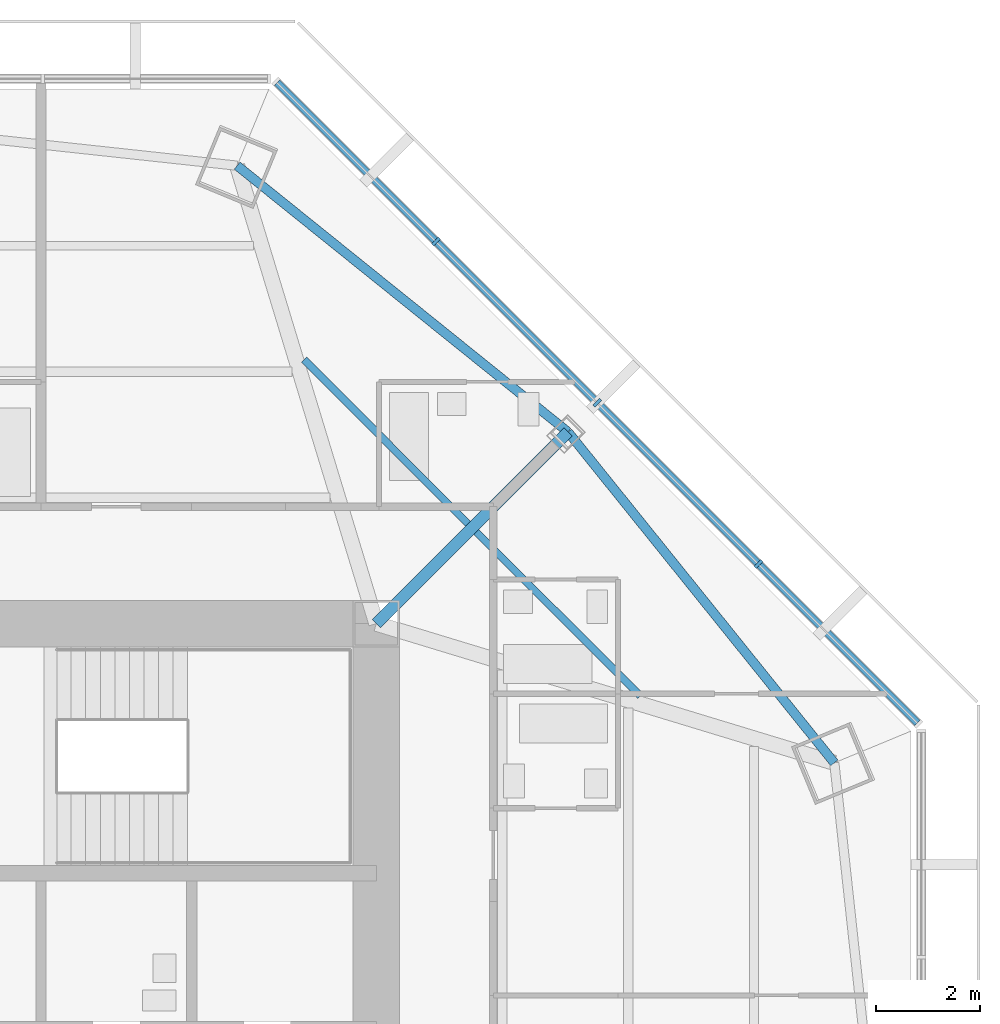
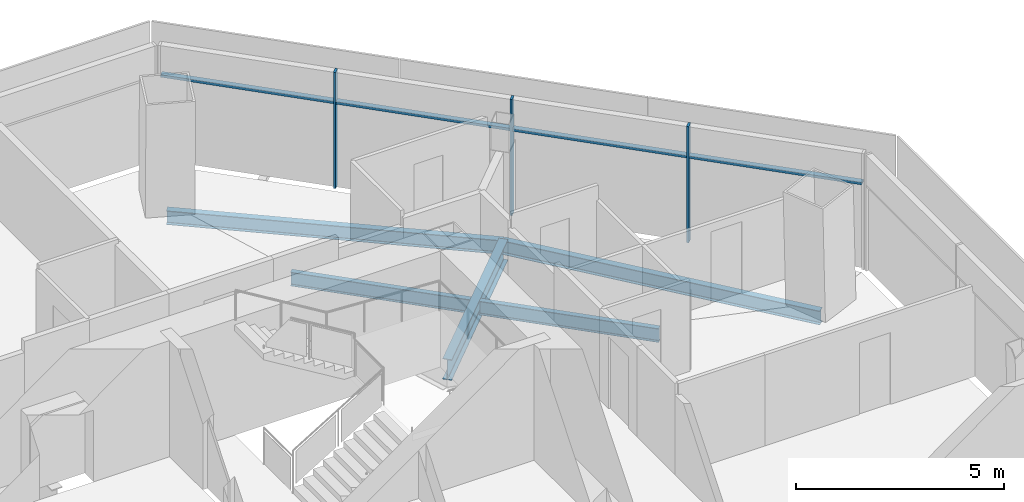
# One storey, part 6 of 14: 7 members, 5 beams, 1 element without a shape of its own.
"""IFC4 building model written with IfcOpenShell, lengths in metres."""

from ifc_helpers import new_model, si_unit, direction, frame, origin, origin_2d, place, context, subcontext, project, spatial, rectangle, i_section, extrude, source, transform, mapped, material, material_profile, profile_set, type_object, type_shapes, element, aggregate, save


model = new_model("IFC4")

# Units and contexts
model_context = context("Model", 3, precision=1e-05, world=origin(), true_north=direction((0.0, 1.0)))
body_context = subcontext(model_context, "Body", "Model", "MODEL_VIEW")
ifc_project = project(units=[si_unit("LENGTHUNIT", "METRE"), si_unit("AREAUNIT", "SQUARE_METRE"), si_unit("VOLUMEUNIT", "CUBIC_METRE"), si_unit("PLANEANGLEUNIT", "RADIAN"), si_unit("MASSUNIT", "GRAM", prefix="KILO")], contexts=[model_context])

# Site, building, storey
site_placement = place(None, origin())
site = spatial("IfcSite", under=ifc_project, at=site_placement, CompositionType="ELEMENT")
building_placement = place(site_placement, origin())
building = spatial("IfcBuilding", under=site, at=building_placement, Name="Mashrafa Tower", CompositionType="ELEMENT")
storey_placement = place(building_placement, frame((0.0, 0.0, 238.0)))
storey = spatial("IfcBuildingStorey", under=building, at=storey_placement, Name="L56", CompositionType="ELEMENT", Elevation=238.0)

# Beams
ifc_material_1 = material(Name="Steel ASTM A992", Category="steel")
ifc_material_profile_1 = material_profile(ifc_material_1, i_section(OverallWidth=0.140380859375, OverallDepth=0.40380859375, WebThickness=0.007080078125, FlangeThickness=0.01123046875, FilletRadius=0.01025390625, at=origin_2d()), Name="W16X31")
ifc_profile_set_1 = profile_set([ifc_material_profile_1], Name="Steel ASTM A992")
beam_type_1 = type_object("IfcBeamType", Name="Beam W16X31", PredefinedType="BEAM", material=ifc_profile_set_1)
for number, where, z_axis, x_axis, name in (
    (1, (9.409423828125, 15.877685546875, -0.40185546875), (0.707079408428, -0.707134152885, 0.0), (0.707134152885, 0.707079408428, 0.0), "Floor beam L56 021"),
    (2, (12.72412109375, 12.562744140625, -0.40185546875), (0.707134152885, -0.707079408428, 0.0), (0.707079408428, 0.707134152885, 0.0), "Floor beam L56 025"),
):
    element("IfcBeam", number, at=place(storey_placement, frame(where, z_axis=z_axis, x_axis=x_axis)), inside=storey, type_object=beam_type_1, Name=name, PredefinedType="BEAM", context=body_context, shape_type="SweptSolid", body=[
        extrude(i_section(OverallWidth=0.140380859375, OverallDepth=0.40380859375, WebThickness=0.007080078125, FlangeThickness=0.01123046875, FilletRadius=0.01025390625, at=origin_2d()), origin(), (0.0, 0.0, 1.0), 4.459716796875),
    ])
ifc_material_2 = material(Name="Steel ASTM A992", Category="steel")
ifc_material_profile_2 = material_profile(ifc_material_2, i_section(OverallWidth=0.177734375, OverallDepth=0.406494140625, WebThickness=0.0078125, FlangeThickness=0.012939453125, FilletRadius=0.01025390625, at=origin_2d()), Name="W16X40")
ifc_profile_set_2 = profile_set([ifc_material_profile_2], Name="Steel ASTM A992")
beam_type_2 = type_object("IfcBeamType", Name="Beam W16X40", PredefinedType="BEAM", material=ifc_profile_set_2)
for number, where, z_axis, x_axis, name in (
    (3, (14.487060546875, 14.487060546875, -0.4033203125), (-0.779017025318, 0.62700277054, 0.0), (-0.62700277054, -0.779017025318, 0.0), "Spandrel beam L56 061"),
    (4, (19.609619140625, 8.12255859375, -0.4033203125), (-0.62700277054, 0.779017025318, 0.0), (-0.779017025318, -0.62700277054, 0.0), "Spandrel beam L56 063"),
):
    element("IfcBeam", number, at=place(storey_placement, frame(where, z_axis=z_axis, x_axis=x_axis)), inside=storey, type_object=beam_type_2, Name=name, PredefinedType="BEAM", context=body_context, shape_type="SweptSolid", body=[
        extrude(i_section(OverallWidth=0.177734375, OverallDepth=0.406494140625, WebThickness=0.0078125, FlangeThickness=0.012939453125, FilletRadius=0.01025390625, at=origin_2d()), origin(), (0.0, 0.0, 1.0), 8.169921875),
    ])
ifc_material_3 = material(Name="Steel ASTM A992", Category="steel")
ifc_material_profile_3 = material_profile(ifc_material_3, i_section(OverallWidth=0.228271484375, OverallDepth=0.607177734375, WebThickness=0.01123046875, FlangeThickness=0.017333984375, FilletRadius=0.0126953125, at=origin_2d()), Name="W24X76")
ifc_profile_set_3 = profile_set([ifc_material_profile_3], Name="Steel ASTM A992")
beam_type_3 = type_object("IfcBeamType", Name="Beam W24X76", PredefinedType="BEAM", material=ifc_profile_set_3)
beam_placement = place(storey_placement, frame((10.800048828125, 10.800048828125, -0.50341796875), z_axis=(0.707106781187, 0.707106781187, 0.0), x_axis=(-0.707106781187, 0.707106781187, 0.0)))
element("IfcBeam", 5, at=beam_placement, inside=storey, type_object=beam_type_3, Name="Radial girder L56 047", PredefinedType="BEAM", context=body_context, shape_type="SweptSolid", body=[
    extrude(i_section(OverallWidth=0.228271484375, OverallDepth=0.607177734375, WebThickness=0.01123046875, FlangeThickness=0.017333984375, FilletRadius=0.0126953125, at=origin_2d()), origin(), (0.0, 0.0, 1.0), 5.214111328125),
])

# Curtain wall, members
ifc_material_4 = material(Name="Unitised aluminium curtain wall", Category="aluminium")
curtain_wall_type = type_object("IfcCurtainWallType", Name="Apartment curtain wall, zone 3 CW-C 180 deep", PredefinedType="NOTDEFINED", material=ifc_material_4)
curtain_wall_placement = place(storey_placement, origin())
curtain_wall = element("IfcCurtainWall", 6, at=curtain_wall_placement, inside=storey, type_object=curtain_wall_type, Name="Apartment curtain wall, zone 3 L56 north-east", PredefinedType="NOTDEFINED")
ifc_material_5 = material(Name="Extruded aluminium mullion", Category="aluminium")
ifc_material_profile_4 = material_profile(ifc_material_5, rectangle(XDim=0.179931640625, YDim=0.06005859375, at=origin_2d()), Name="Mullion 60x180")
ifc_profile_set_4 = profile_set([ifc_material_profile_4], Name="Extruded aluminium mullion")
member_type_1 = type_object("IfcMemberType", Name="Mullion CW-C 60 x 180", PredefinedType="MULLION", material=ifc_profile_set_4)
shared_shape_1 = source(origin(), body_context, "Body", "SweptSolid", [
    extrude(rectangle(XDim=0.179931640625, YDim=0.06005859375, at=origin_2d()), origin(), (0.0, 0.0, 1.0), 3.39990234375),
])
type_shapes(member_type_1, [shared_shape_1])
member_1_placement = place(storey_placement, frame((18.148681640625, 11.94873046875, 0.0), z_axis=(0.0, 0.0, 1.0), x_axis=(-0.707106781187, -0.707106781187, 0.0)))
member_1 = element("IfcMember", 7, at=member_1_placement, type_object=member_type_1, Name="CW-C mullion 2", PredefinedType="MULLION", context=body_context, shape_type="MappedRepresentation", body=[
    mapped(shared_shape_1, transform((0.0, 0.0, 0.0))),
])
member_2_placement = place(storey_placement, frame((15.048583984375, 15.048583984375, 0.0), z_axis=(0.0, 0.0, 1.0), x_axis=(-0.707106781187, -0.707106781187, 0.0)))
member_2 = element("IfcMember", 8, at=member_2_placement, type_object=member_type_1, Name="CW-C mullion 3", PredefinedType="MULLION", context=body_context, shape_type="MappedRepresentation", body=[
    mapped(shared_shape_1, transform((0.0, 0.0, 0.0))),
])
member_3_placement = place(storey_placement, frame((11.94873046875, 18.148681640625, 0.0), z_axis=(0.0, 0.0, 1.0), x_axis=(-0.707106781187, -0.707106781187, 0.0)))
member_3 = element("IfcMember", 9, at=member_3_placement, type_object=member_type_1, Name="CW-C mullion 4", PredefinedType="MULLION", context=body_context, shape_type="MappedRepresentation", body=[
    mapped(shared_shape_1, transform((0.0, 0.0, 0.0))),
])
ifc_material_6 = material(Name="Extruded aluminium transom", Category="aluminium")
ifc_material_profile_5 = material_profile(ifc_material_6, rectangle(XDim=0.14404296875, YDim=0.074951171875, at=origin_2d()), Name="Transom 75x144")
ifc_profile_set_5 = profile_set([ifc_material_profile_5], Name="Extruded aluminium transom")
member_type_2 = type_object("IfcMemberType", Name="Transom CW-C 75 x 144", PredefinedType="MULLION", material=ifc_profile_set_5)
shared_shape_2 = source(origin(), body_context, "Body", "SweptSolid", [
    extrude(rectangle(XDim=0.14404296875, YDim=0.074951171875, at=origin_2d()), origin(), (0.0, 0.0, 1.0), 4.323974609375),
])
member_4_placement = place(storey_placement, frame((18.12744140625, 11.969970703125, 2.5), z_axis=(-0.70713501182, 0.707078549426, 0.0), x_axis=(-0.707078549426, -0.70713501182, 0.0)))
member_4 = element("IfcMember", 10, at=member_4_placement, type_object=member_type_2, Name="CW-C transom 2", PredefinedType="MULLION", context=body_context, shape_type="MappedRepresentation", body=[
    mapped(shared_shape_2, transform((0.0, 0.0, 0.0))),
])
member_5_placement = place(storey_placement, frame((15.02734375, 15.06982421875, 2.5), z_axis=(-0.707078549426, 0.70713501182, 0.0), x_axis=(-0.70713501182, -0.707078549426, 0.0)))
member_5 = element("IfcMember", 11, at=member_5_placement, type_object=member_type_2, Name="CW-C transom 3", PredefinedType="MULLION", context=body_context, shape_type="MappedRepresentation", body=[
    mapped(shared_shape_2, transform((0.0, 0.0, 0.0))),
])
shared_shape_3 = source(origin(), body_context, "Body", "SweptSolid", [
    extrude(rectangle(XDim=0.14404296875, YDim=0.074951171875, at=origin_2d()), origin(), (0.0, 0.0, 1.0), 4.294189453125),
])
type_shapes(member_type_2, [shared_shape_2, shared_shape_3])
member_6_placement = place(storey_placement, frame((21.206298828125, 8.89111328125, 2.5), z_axis=(-0.707106781187, 0.707106781187, 0.0), x_axis=(-0.707106781187, -0.707106781187, 0.0)))
member_6 = element("IfcMember", 12, at=member_6_placement, type_object=member_type_2, Name="CW-C transom 1", PredefinedType="MULLION", context=body_context, shape_type="MappedRepresentation", body=[
    mapped(shared_shape_3, transform((0.0, 0.0, 0.0))),
])
member_7_placement = place(storey_placement, frame((11.927490234375, 18.169921875, 2.5), z_axis=(-0.707106781187, 0.707106781187, 0.0), x_axis=(-0.707106781187, -0.707106781187, 0.0)))
member_7 = element("IfcMember", 13, at=member_7_placement, type_object=member_type_2, Name="CW-C transom 4", PredefinedType="MULLION", context=body_context, shape_type="MappedRepresentation", body=[
    mapped(shared_shape_3, transform((0.0, 0.0, 0.0))),
])
aggregate(curtain_wall, [member_1, member_2, member_3, member_6, member_4, member_5, member_7])

save(model, "model.ifc")
